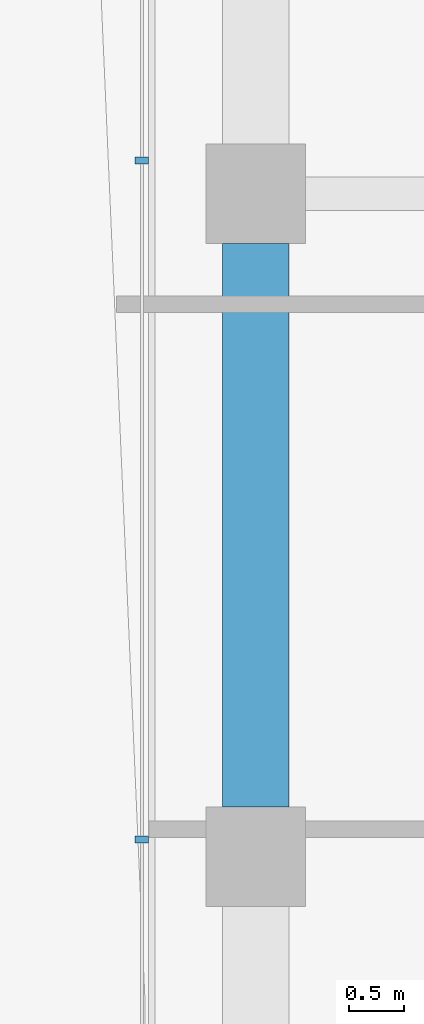
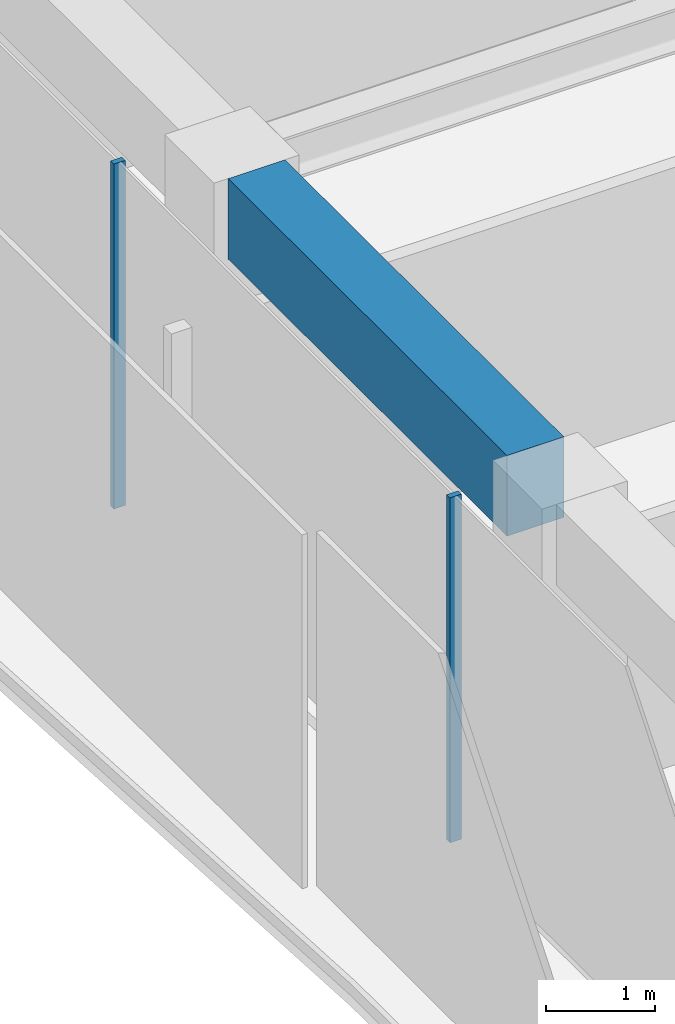
# One storey, part 10 of 24: 2 members, 1 beam, 1 element without a shape of its own.
"""IFC4 building model written with IfcOpenShell, lengths in metres."""

from ifc_helpers import new_model, si_unit, direction, frame, origin, origin_2d, place, context, subcontext, project, spatial, rectangle, extrude, material, layer, layer_set, material_profile, profile_set, type_object, element, aggregate, save


model = new_model("IFC4")

# Units and contexts
model_context = context("Model", 3, precision=1e-05, world=origin(), true_north=direction((0.0, 1.0)))
body_context = subcontext(model_context, "Body", "Model", "MODEL_VIEW")
ifc_project = project(units=[si_unit("LENGTHUNIT", "METRE"), si_unit("AREAUNIT", "SQUARE_METRE"), si_unit("VOLUMEUNIT", "CUBIC_METRE"), si_unit("PLANEANGLEUNIT", "RADIAN"), si_unit("MASSUNIT", "GRAM", prefix="KILO")], contexts=[model_context])

# Site, building, storey
site_placement = place(None, origin())
site = spatial("IfcSite", under=ifc_project, at=site_placement, CompositionType="ELEMENT")
building_placement = place(site_placement, origin())
building = spatial("IfcBuilding", under=site, at=building_placement, Name="Welwitschia Terrace Campus", CompositionType="ELEMENT")
storey_placement = place(building_placement, frame((0.0, 0.0, 100.39990234375)))
storey = spatial("IfcBuildingStorey", under=building, at=storey_placement, Name="L22", CompositionType="ELEMENT", Elevation=100.39990234375)

# Curtain wall, members
ifc_material_1 = material(Name="Bronze anodised aluminium", Category="aluminium")
ifc_layer = layer(ifc_material_1, 0.1201171875)
ifc_layer_set = layer_set([ifc_layer], Name="Bronze anodised aluminium")
curtain_wall_type = type_object("IfcCurtainWallType", Name="Curtain wall CW2 tower 6000", PredefinedType="NOTDEFINED", material=ifc_layer_set)
curtain_wall_placement = place(storey_placement, origin())
curtain_wall = element("IfcCurtainWall", 1, at=curtain_wall_placement, inside=storey, type_object=curtain_wall_type, Name="CW L22.11.0", PredefinedType="NOTDEFINED")
ifc_material_2 = material(Name="Bronze anodised aluminium", Category="aluminium")
ifc_material_profile_1 = material_profile(ifc_material_2, rectangle(XDim=0.1201171875, YDim=0.06005859375, at=origin_2d()))
ifc_profile_set_1 = profile_set([ifc_material_profile_1], Name="Bronze anodised aluminium")
member_type = type_object("IfcMemberType", Name="Mullion 60x120", PredefinedType="MULLION", material=ifc_profile_set_1)
member_1_placement = place(storey_placement, frame((-1.030029296875, 40.3017578125, 0.0), z_axis=(0.0, 0.0, 1.0), x_axis=(1.0, 0.0, 0.0)))
member_1 = element("IfcMember", 2, at=member_1_placement, type_object=member_type, Name="Mullion L22.11.0.5", PredefinedType="MULLION", context=body_context, shape_type="SweptSolid", body=[
    extrude(rectangle(XDim=0.1201171875, YDim=0.06005859375, at=origin_2d()), origin(), (0.0, 0.0, 1.0), 3.85009765625),
])
member_2_placement = place(storey_placement, frame((-1.030029296875, 34.156005859375, 0.0), z_axis=(0.0, 0.0, 1.0), x_axis=(1.0, 0.0, 0.0)))
member_2 = element("IfcMember", 3, at=member_2_placement, type_object=member_type, Name="Mullion L22.11.0.6", PredefinedType="MULLION", context=body_context, shape_type="SweptSolid", body=[
    extrude(rectangle(XDim=0.1201171875, YDim=0.06005859375, at=origin_2d()), origin(), (0.0, 0.0, 1.0), 3.85009765625),
])
aggregate(curtain_wall, [member_1, member_2])

# Beam
ifc_material_3 = material(Name="Concrete C60/75", Category="concrete")
ifc_material_profile_2 = material_profile(ifc_material_3, rectangle(XDim=0.60009765625, YDim=0.89990234375, at=origin_2d()))
ifc_profile_set_2 = profile_set([ifc_material_profile_2], Name="Concrete C60/75")
beam_type = type_object("IfcBeamType", Name="Ring spandrel 600x900", PredefinedType="SPANDREL", material=ifc_profile_set_2)
beam_placement = place(storey_placement, frame((0.0, 39.549560546875, 3.400146484375), z_axis=(0.0, -1.0, 0.0), x_axis=(1.0, 0.0, 0.0)))
element("IfcBeam", 4, at=beam_placement, inside=storey, type_object=beam_type, Name="Spandrel SP2", PredefinedType="SPANDREL", context=body_context, shape_type="SweptSolid", body=[
    extrude(rectangle(XDim=0.60009765625, YDim=0.89990234375, at=origin_2d()), origin(), (0.0, 0.0, 1.0), 5.09912109375),
])

save(model, "model.ifc")
